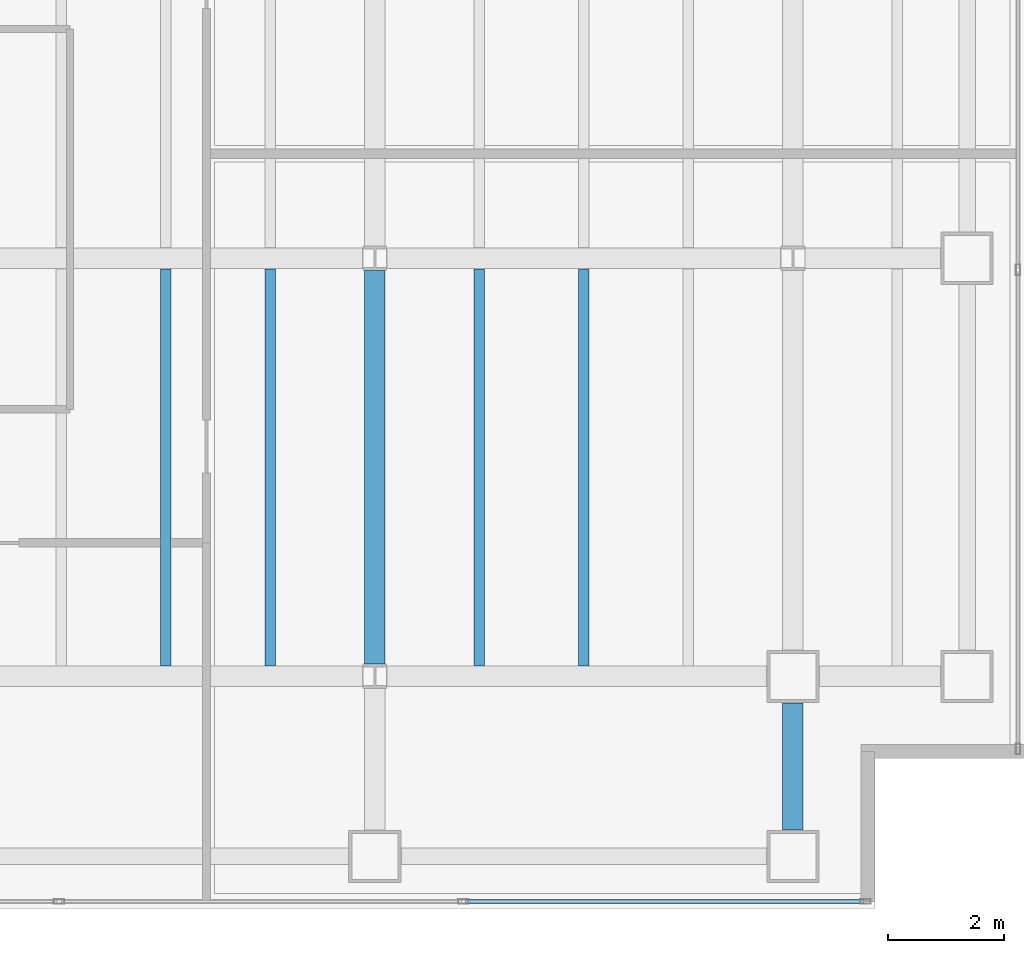
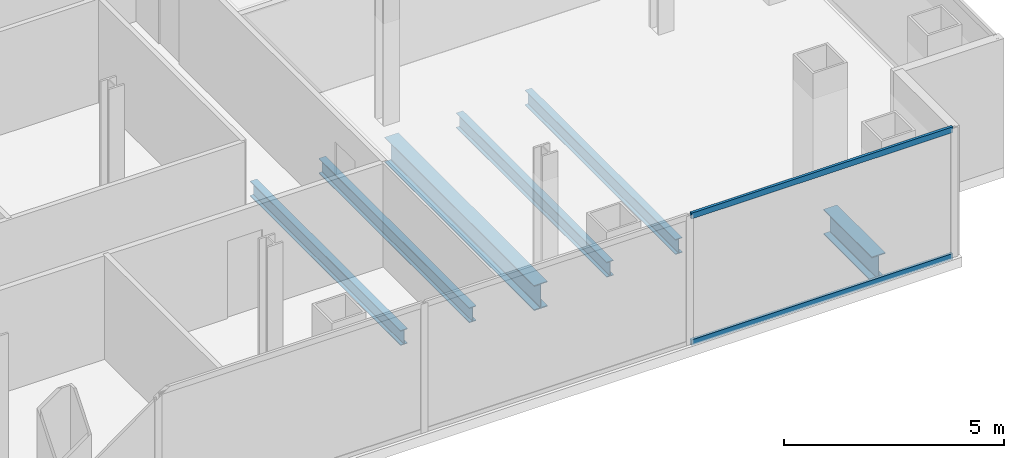
# One storey, part 10 of 23: 6 beams, 2 members, 1 element without a shape of its own.
"""IFC4 building model written with IfcOpenShell, lengths in metres."""

import ifcopenshell
import ifcopenshell.guid

model = None  # the IFC model being written
_history = None  # IfcOwnerHistory: only IFC2X3 demands one
_inside = {}  # id of a spatial element -> (the spatial element, [elements in it])
_under = {}  # id of a project, library or spatial element -> (it, [spatial elements below it])
_declared = {}  # id of a project -> (the project, [libraries it declares])
_typed = {}  # id of a type object -> (the type object, [elements of that type])
_made_of = {}  # id of a material, layer set ... -> (it, [elements and type objects made of it])


def new_model(schema):
    """Start an empty IFC model of exactly this schema.

    Asked for "IFC4X3", IfcOpenShell would pick the latest addendum, in which some entities
    have other attributes; the version numbers below select the first issue.
    IFC2X3 requires an IfcOwnerHistory on every rooted entity: one is made here for all.
    """
    global model, _history
    if schema == "IFC4X3":
        model = ifcopenshell.file(schema_version=(4, 3, 0, 0))
    else:
        model = ifcopenshell.file(schema=schema)
    _inside.clear()
    _under.clear()
    _declared.clear()
    _typed.clear()
    _made_of.clear()
    _history = None
    if model.schema == "IFC2X3":
        org = make("IfcOrganization", Name="unknown")
        user = make(
            "IfcPersonAndOrganization",
            ThePerson=make("IfcPerson", FamilyName="unknown"),
            TheOrganization=org,
        )
        app = make(
            "IfcApplication",
            ApplicationDeveloper=org,
            Version="unknown",
            ApplicationFullName="unknown",
            ApplicationIdentifier="unknown",
        )
        _history = make(
            "IfcOwnerHistory",
            OwningUser=user,
            OwningApplication=app,
            ChangeAction="ADDED",
            CreationDate=0,
        )
    return model


def make(cls, **values):
    """One entity of the class cls with the attributes given. An attribute that is None is left unset."""
    return model.create_entity(
        cls, **{name: value for name, value in values.items() if value is not None}
    )


def rooted(cls, **values):
    """An entity with a GlobalId (a new one), such as an element, a storey or a relation."""
    return make(cls, GlobalId=ifcopenshell.guid.new(), OwnerHistory=_history, **values)


def si_unit(unit_type, name, prefix=None):
    """IfcSIUnit, for example si_unit("LENGTHUNIT", "METRE", prefix="MILLI")."""
    return make("IfcSIUnit", UnitType=unit_type, Prefix=prefix, Name=name)


def assignment(units):
    """IfcUnitAssignment: the units of a project."""
    return None if units is None else make("IfcUnitAssignment", Units=units)


def point(xyz):
    """IfcCartesianPoint."""
    return None if xyz is None else make("IfcCartesianPoint", Coordinates=xyz)


def direction(xyz):
    """IfcDirection."""
    return None if xyz is None else make("IfcDirection", DirectionRatios=xyz)


def frame(location, z_axis=None, x_axis=None):
    """IfcAxis2Placement3D, a coordinate frame: its origin and axes. An axis left out is left unset."""
    return make(
        "IfcAxis2Placement3D",
        Location=point(location),
        Axis=direction(z_axis),
        RefDirection=direction(x_axis),
    )


def frame_2d(location, x_axis=None):
    """IfcAxis2Placement2D, a coordinate frame in the plane: its origin and x axis."""
    return make(
        "IfcAxis2Placement2D", Location=point(location), RefDirection=direction(x_axis)
    )


def origin():
    """The frame at (0, 0, 0) with its axes left unset."""
    return frame((0.0, 0.0, 0.0))


def origin_2d():
    """The frame at (0, 0) in the plane with its x axis left unset."""
    return frame_2d((0.0, 0.0))


def place(relative_to, where):
    """IfcLocalPlacement: puts the frame where relative to a parent placement (None: the world)."""
    return make(
        "IfcLocalPlacement", PlacementRelTo=relative_to, RelativePlacement=where
    )


def context(
    kind, dimensions, precision=None, world=None, true_north=None, identifier=None
):
    """IfcGeometricRepresentationContext, for example the 3D "Model" context."""
    return make(
        "IfcGeometricRepresentationContext",
        ContextIdentifier=identifier,
        ContextType=kind,
        CoordinateSpaceDimension=dimensions,
        Precision=precision,
        WorldCoordinateSystem=world,
        TrueNorth=true_north,
    )


def subcontext(parent, identifier, kind, view, scale=None):
    """IfcGeometricRepresentationSubContext, for example "Body" below "Model"."""
    return make(
        "IfcGeometricRepresentationSubContext",
        ContextIdentifier=identifier,
        ContextType=kind,
        ParentContext=parent,
        TargetScale=scale,
        TargetView=view,
    )


def project(units=None, contexts=None):
    """IfcProject with its units and contexts."""
    return rooted(
        "IfcProject",
        Name="project",
        RepresentationContexts=contexts,
        UnitsInContext=assignment(units),
    )


def spatial(cls, under=None, at=None, **own):
    """A site, building, storey or space (cls), placed at a placement, below another one or the project."""
    s = rooted(cls, ObjectPlacement=at, **own)
    if under is not None:
        _under.setdefault(under.id(), (under, []))[1].append(s)
    return s


def profile(cls, at=None, kind="AREA", **sizes):
    """A parametric profile (cls). Its sizes go by their IFC names, for example OverallWidth=200.0."""
    return make(cls, ProfileType=kind, Position=at, **sizes)


def hollow_rectangle(**sizes):
    """IfcRectangleHollowProfileDef."""
    return profile("IfcRectangleHollowProfileDef", **sizes)


def i_section(**sizes):
    """IfcIShapeProfileDef."""
    return profile("IfcIShapeProfileDef", **sizes)


def extrude(swept, where, along, depth):
    """IfcExtrudedAreaSolid: the profile swept, set in the frame where, extruded along a direction by depth."""
    return make(
        "IfcExtrudedAreaSolid",
        SweptArea=swept,
        Position=where,
        ExtrudedDirection=direction(along),
        Depth=depth,
    )


def shape(context_of_items, identifier, shape_type, items):
    """IfcShapeRepresentation: the items that make up one representation, for example the "Body"."""
    return make(
        "IfcShapeRepresentation",
        ContextOfItems=context_of_items,
        RepresentationIdentifier=identifier,
        RepresentationType=shape_type,
        Items=items,
    )


def material(Name=None, Category=None):
    """IfcMaterial."""
    return make("IfcMaterial", Name=Name, Category=Category)


def material_profile(
    of_material, cross_section, Name=None, Category=None, Priority=None
):
    """IfcMaterialProfile: a cross section and its material."""
    return make(
        "IfcMaterialProfile",
        Name=Name,
        Material=of_material,
        Profile=cross_section,
        Priority=Priority,
        Category=Category,
    )


def profile_set(profiles, Name=None, composite=None):
    """IfcMaterialProfileSet."""
    return make(
        "IfcMaterialProfileSet",
        Name=Name,
        MaterialProfiles=profiles,
        CompositeProfile=composite,
    )


def made_of(thing, what):
    """Note that an element or type object is made of a material, layer set ...; save() writes the relation."""
    if what is not None:
        _made_of.setdefault(what.id(), (what, []))[1].append(thing)
    return thing


def type_object(cls, material=None, **own):
    """A type object (cls), such as IfcWallType, which elements share."""
    return made_of(rooted(cls, **own), material)


def element(
    cls,
    number,
    at=None,
    inside=None,
    cuts=None,
    type_object=None,
    material=None,
    context=None,
    identifier="Body",
    shape_type=None,
    held_by="IfcProductDefinitionShape",
    body=None,
    shapes=None,
    **own,
):
    """One element of the class cls, such as IfcWall. Its Tag is "e" and its number.

    at: its placement. inside: the storey or other place that contains it. cuts: it is an
    opening in that element (IfcRelVoidsElement). A single representation is given by context,
    identifier, shape_type and body (its items); several are given by shapes. held_by: the class
    of the entity that holds the representations. save() writes the other relations.
    """
    e = rooted(cls, Tag="e%d" % number, ObjectPlacement=at, **own)
    if body is not None:
        shapes = [shape(context, identifier, shape_type, body)]
    if shapes is not None:
        e.Representation = make(held_by, Representations=shapes)
    if inside is not None:
        _inside.setdefault(inside.id(), (inside, []))[1].append(e)
    if cuts is not None:
        rooted(
            "IfcRelVoidsElement", RelatingBuildingElement=cuts, RelatedOpeningElement=e
        )
    if type_object is not None:
        _typed.setdefault(type_object.id(), (type_object, []))[1].append(e)
    return made_of(e, material)


def aggregate(whole, parts):
    """IfcRelAggregates: a whole, such as a stair, and the parts it consists of."""
    return rooted("IfcRelAggregates", RelatingObject=whole, RelatedObjects=parts)


def save(model, path):
    """Write the relations noted so far, then the file.

    IfcRelAggregates (storeys below a building ...), IfcRelContainedInSpatialStructure (elements
    in a storey), IfcRelDefinesByType, IfcRelAssociatesMaterial and IfcRelDeclares: one each for
    every whole, place, type object, material and project.
    """
    for whole, parts in _under.values():
        aggregate(whole, parts)
    for where, things in _inside.values():
        rooted(
            "IfcRelContainedInSpatialStructure",
            RelatedElements=things,
            RelatingStructure=where,
        )
    for kind, things in _typed.values():
        rooted("IfcRelDefinesByType", RelatedObjects=things, RelatingType=kind)
    for what, things in _made_of.values():
        rooted("IfcRelAssociatesMaterial", RelatedObjects=things, RelatingMaterial=what)
    for by, libraries in _declared.values():
        rooted("IfcRelDeclares", RelatingContext=by, RelatedDefinitions=libraries)
    model.write(path)


model = new_model("IFC4")

# Units and contexts
model_context = context("Model", 3, precision=1e-05, world=origin(), true_north=direction((0.0, 1.0)))
body_context = subcontext(model_context, "Body", "Model", "MODEL_VIEW")
ifc_project = project(units=[si_unit("LENGTHUNIT", "METRE"), si_unit("AREAUNIT", "SQUARE_METRE"), si_unit("VOLUMEUNIT", "CUBIC_METRE"), si_unit("PLANEANGLEUNIT", "RADIAN"), si_unit("MASSUNIT", "GRAM", prefix="KILO")], contexts=[model_context])

# Site, building, storey
site_placement = place(None, origin())
site = spatial("IfcSite", under=ifc_project, at=site_placement, CompositionType="ELEMENT")
building_placement = place(site_placement, origin())
building = spatial("IfcBuilding", under=site, at=building_placement, Name="Cobrela Telecom Tower", CompositionType="ELEMENT")
storey_placement = place(building_placement, frame((0.0, 0.0, 140.699951171875)))
storey = spatial("IfcBuildingStorey", under=building, at=storey_placement, Name="L35", CompositionType="ELEMENT", Elevation=140.699951171875)

# Beams
ifc_material_1 = material(Name="Steel ASTM A992 Grade 50", Category="steel")
ifc_material_profile_1 = material_profile(ifc_material_1, i_section(OverallWidth=0.35595703125, OverallDepth=0.696044921875, WebThickness=0.015380859375, FlangeThickness=0.024658203125, FilletRadius=0.01806640625, at=origin_2d()), Name="W27X146")
ifc_profile_set_1 = profile_set([ifc_material_profile_1], Name="Steel ASTM A992 Grade 50")
beam_type_1 = type_object("IfcBeamType", Name="BM-GIRD-05", PredefinedType="USERDEFINED", material=ifc_profile_set_1)
beam_1_placement = place(storey_placement, frame((36.0, 7.409423828125, -0.617919921875), z_axis=(0.0, 1.0, 0.0), x_axis=(-1.0, 0.0, 0.0)))
element("IfcBeam", 1, at=beam_1_placement, inside=storey, type_object=beam_type_1, Name="L35 Primary Girder Y50", ObjectType="GIRDER", PredefinedType="USERDEFINED", context=body_context, shape_type="SweptSolid", body=[
    extrude(i_section(OverallWidth=0.35595703125, OverallDepth=0.696044921875, WebThickness=0.015380859375, FlangeThickness=0.024658203125, FilletRadius=0.01806640625, at=origin_2d()), origin(), (0.0, 0.0, 1.0), 6.781005859375),
])
beam_2_placement = place(storey_placement, frame((43.199951171875, 4.554931640625, -0.617919921875), z_axis=(0.0, 1.0, 0.0), x_axis=(-1.0, 0.0, 0.0)))
element("IfcBeam", 2, at=beam_2_placement, inside=storey, type_object=beam_type_1, Name="L35 Primary Girder Y52", ObjectType="GIRDER", PredefinedType="USERDEFINED", context=body_context, shape_type="SweptSolid", body=[
    extrude(i_section(OverallWidth=0.35595703125, OverallDepth=0.696044921875, WebThickness=0.015380859375, FlangeThickness=0.024658203125, FilletRadius=0.01806640625, at=origin_2d()), origin(), (0.0, 0.0, 1.0), 2.190185546875),
])
ifc_material_profile_2 = material_profile(ifc_material_1, i_section(OverallWidth=0.179931640625, OverallDepth=0.4169921875, WebThickness=0.010986328125, FlangeThickness=0.01806640625, FilletRadius=0.011962890625, at=origin_2d()), Name="W16X57")
ifc_profile_set_2 = profile_set([ifc_material_profile_2], Name="Steel ASTM A992 Grade 50")
beam_type_2 = type_object("IfcBeamType", Name="BM-JOIST-04", PredefinedType="JOIST", material=ifc_profile_set_2)
for number, where, z_axis, x_axis, name in (
    (3, (32.39990234375, 7.383056640625, -0.478515625), (0.0, 1.0, 0.0), (-1.0, 0.0, 0.0), "L35 Secondary Composite Floor Beam J29"),
    (4, (34.199951171875, 7.383056640625, -0.478515625), (0.0, 1.0, 0.0), (-1.0, 0.0, 0.0), "L35 Secondary Composite Floor Beam J31"),
    (5, (37.800048828125, 7.383056640625, -0.478515625), (0.0, 1.0, 0.0), (-1.0, 0.0, 0.0), "L35 Secondary Composite Floor Beam J33"),
    (6, (39.60009765625, 7.383056640625, -0.478515625), (0.0, 1.0, 0.0), (-1.0, 0.0, 0.0), "L35 Secondary Composite Floor Beam J35"),
):
    element("IfcBeam", number, at=place(storey_placement, frame(where, z_axis=z_axis, x_axis=x_axis)), inside=storey, type_object=beam_type_2, Name=name, PredefinedType="JOIST", context=body_context, shape_type="SweptSolid", body=[
        extrude(i_section(OverallWidth=0.179931640625, OverallDepth=0.4169921875, WebThickness=0.010986328125, FlangeThickness=0.01806640625, FilletRadius=0.011962890625, at=origin_2d()), origin(), (0.0, 0.0, 1.0), 6.833984375),
    ])

# Curtain wall, members
ifc_material_2 = material(Name="Anodized Bronze Aluminium 6063-T6", Category="aluminium")
curtain_wall_type = type_object("IfcCurtainWallType", Name="CW-SYS-TEL", PredefinedType="USERDEFINED", material=ifc_material_2)
curtain_wall_placement = place(storey_placement, origin())
curtain_wall = element("IfcCurtainWall", 7, at=curtain_wall_placement, inside=storey, type_object=curtain_wall_type, Name="L35 Unitised Bronze Curtain Wall 17", ObjectType="UNITISED CURTAIN WALL", PredefinedType="USERDEFINED")
ifc_material_profile_3 = material_profile(ifc_material_2, hollow_rectangle(XDim=0.070068359375, YDim=0.159912109375, WallThickness=0.00390625, at=origin_2d()), Name="ALU 70x160x4")
ifc_profile_set_3 = profile_set([ifc_material_profile_3], Name="Anodized Bronze Aluminium 6063-T6")
member_type = type_object("IfcMemberType", Name="CW-SYS-TEL-TRN", PredefinedType="USERDEFINED", material=ifc_profile_set_3)
member_1_placement = place(storey_placement, frame((44.4150390625, 3.320068359375, 0.03515625), z_axis=(-1.0, 0.0, 0.0), x_axis=(0.0, -1.0, 0.0)))
member_1 = element("IfcMember", 8, at=member_1_placement, type_object=member_type, Name="CW-TEL transom 1.1", ObjectType="TRANSOM", PredefinedType="USERDEFINED", context=body_context, shape_type="SweptSolid", body=[
    extrude(hollow_rectangle(XDim=0.070068359375, YDim=0.159912109375, WallThickness=0.00390625, at=origin_2d()), origin(), (0.0, 0.0, 1.0), 6.850830078125),
])
member_2_placement = place(storey_placement, frame((44.4150390625, 3.320068359375, 3.545166015625), z_axis=(-1.0, 0.0, 0.0), x_axis=(0.0, -1.0, 0.0)))
member_2 = element("IfcMember", 9, at=member_2_placement, type_object=member_type, Name="CW-TEL transom 1.2", ObjectType="TRANSOM", PredefinedType="USERDEFINED", context=body_context, shape_type="SweptSolid", body=[
    extrude(hollow_rectangle(XDim=0.070068359375, YDim=0.159912109375, WallThickness=0.00390625, at=origin_2d()), origin(), (0.0, 0.0, 1.0), 6.850830078125),
])
aggregate(curtain_wall, [member_1, member_2])

save(model, "model.ifc")
